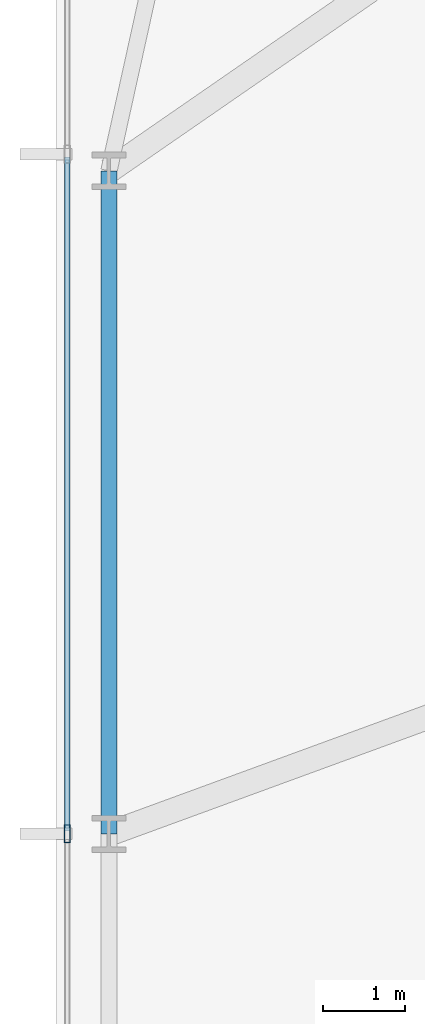
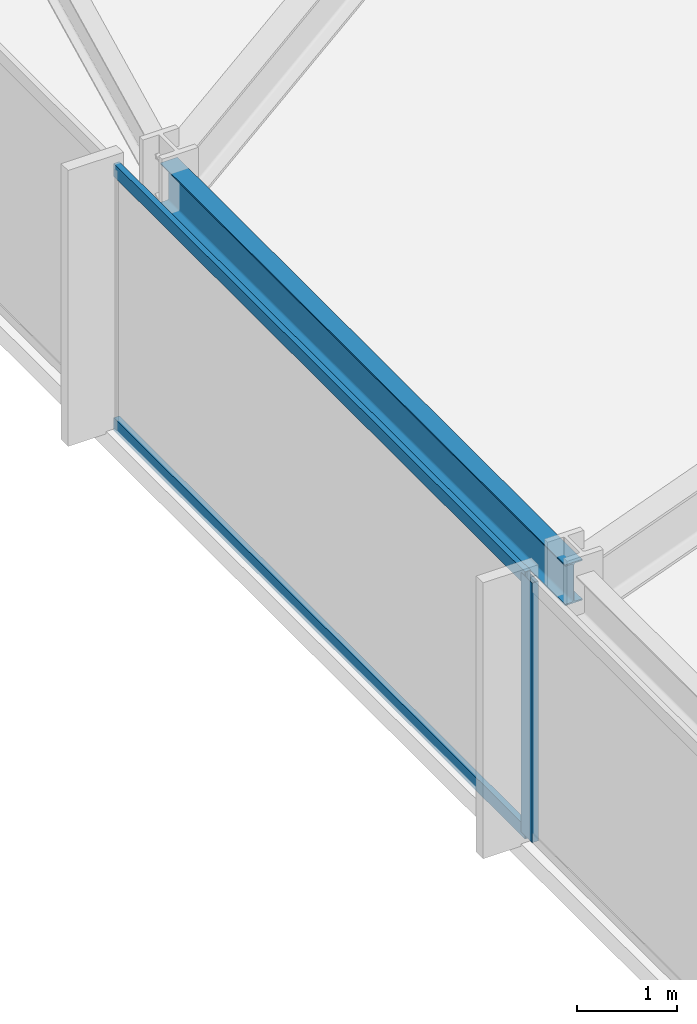
# One storey, part 7 of 33: 3 members, 1 beam, 1 element without a shape of its own.
"""IFC4 building model written with IfcOpenShell, lengths in metres."""

from ifc_helpers import new_model, si_unit, direction, frame, origin, origin_2d, place, context, subcontext, project, spatial, hollow_rectangle, i_section, extrude, material, material_profile, profile_set, type_object, element, aggregate, save


model = new_model("IFC4")

# Units and contexts
model_context = context("Model", 3, precision=1e-05, world=origin(), true_north=direction((0.0, 1.0)))
body_context = subcontext(model_context, "Body", "Model", "MODEL_VIEW")
ifc_project = project(units=[si_unit("LENGTHUNIT", "METRE"), si_unit("AREAUNIT", "SQUARE_METRE"), si_unit("VOLUMEUNIT", "CUBIC_METRE"), si_unit("PLANEANGLEUNIT", "RADIAN"), si_unit("MASSUNIT", "GRAM", prefix="KILO")], contexts=[model_context])

# Site, building, storey
site_placement = place(None, origin())
site = spatial("IfcSite", under=ifc_project, at=site_placement, CompositionType="ELEMENT")
building_placement = place(site_placement, origin())
building = spatial("IfcBuilding", under=site, at=building_placement, Name="Yelkora Congress Tower", CompositionType="ELEMENT")
storey_placement = place(building_placement, frame((0.0, 0.0, 37.199951171875)))
storey = spatial("IfcBuildingStorey", under=building, at=storey_placement, Name="L08", CompositionType="ELEMENT", Elevation=37.199951171875)

# Beam
ifc_material_1 = material(Name="Steel S355J2", Category="steel")
ifc_material_profile_1 = material_profile(ifc_material_1, i_section(OverallWidth=0.199951171875, OverallDepth=0.5, WebThickness=0.01025390625, FlangeThickness=0.01611328125, FilletRadius=0.02099609375, at=origin_2d()), Name="IPE 500")
ifc_profile_set_1 = profile_set([ifc_material_profile_1], Name="Steel S355J2")
beam_type = type_object("IfcBeamType", Name="BM-SPAN-IPE500", PredefinedType="SPANDREL", material=ifc_profile_set_1)
beam_placement = place(storey_placement, frame((6.64990234375, 37.52490234375, 2.929931640625), z_axis=(0.0, -1.0, 0.0), x_axis=(1.0, 0.0, 0.0)))
element("IfcBeam", 1, at=beam_placement, inside=storey, type_object=beam_type, Name="L08 Perimeter Beam 18", PredefinedType="SPANDREL", context=body_context, shape_type="SweptSolid", body=[
    extrude(i_section(OverallWidth=0.199951171875, OverallDepth=0.5, WebThickness=0.01025390625, FlangeThickness=0.01611328125, FilletRadius=0.02099609375, at=origin_2d()), origin(), (0.0, 0.0, 1.0), 8.125),
])

# Curtain wall, members
ifc_material_2 = material(Name="Anodised aluminium and insulated glass", Category="aluminium")
curtain_wall_type = type_object("IfcCurtainWallType", Name="CW-SYS-B1", PredefinedType="NOTDEFINED", material=ifc_material_2)
curtain_wall_placement = place(storey_placement, origin())
curtain_wall = element("IfcCurtainWall", 2, at=curtain_wall_placement, inside=storey, type_object=curtain_wall_type, Name="L08 Unitised Curtain Wall 5", PredefinedType="NOTDEFINED")
ifc_material_3 = material(Name="Anodised aluminium 6063-T6", Category="aluminium")
ifc_material_profile_2 = material_profile(ifc_material_3, hollow_rectangle(XDim=0.074951171875, YDim=0.219970703125, WallThickness=0.0048828125, at=origin_2d()), Name="ALU 75x220x5")
ifc_profile_set_2 = profile_set([ifc_material_profile_2], Name="Anodised aluminium 6063-T6")
member_type_1 = type_object("IfcMemberType", Name="MEM-ML-B1", PredefinedType="MULLION", material=ifc_profile_set_2)
member_1_placement = place(storey_placement, frame((6.139892578125, 29.39990234375, 0.0), z_axis=(0.0, 0.0, 1.0), x_axis=(-1.0, 0.0, 0.0)))
member_1 = element("IfcMember", 3, at=member_1_placement, type_object=member_type_1, Name="CW-B1 mullion 3", PredefinedType="MULLION", context=body_context, shape_type="SweptSolid", body=[
    extrude(hollow_rectangle(XDim=0.074951171875, YDim=0.219970703125, WallThickness=0.0048828125, at=origin_2d()), origin(), (0.0, 0.0, 1.0), 3.179931640625),
])
ifc_material_profile_3 = material_profile(ifc_material_3, hollow_rectangle(XDim=0.06494140625, YDim=0.159912109375, WallThickness=0.00390625, at=origin_2d()), Name="ALU 65x160x4")
ifc_profile_set_3 = profile_set([ifc_material_profile_3], Name="Anodised aluminium 6063-T6")
member_type_2 = type_object("IfcMemberType", Name="MEM-TR-B1", PredefinedType="USERDEFINED", material=ifc_profile_set_3)
member_2_placement = place(storey_placement, frame((6.139892578125, 29.4375, 0.032470703125), z_axis=(0.0, 1.0, 0.0), x_axis=(-1.0, 0.0, 0.0)))
member_2 = element("IfcMember", 4, at=member_2_placement, type_object=member_type_2, Name="CW-B1 transom 3.1", ObjectType="TRANSOM", PredefinedType="USERDEFINED", context=body_context, shape_type="SweptSolid", body=[
    extrude(hollow_rectangle(XDim=0.06494140625, YDim=0.159912109375, WallThickness=0.00390625, at=origin_2d()), origin(), (0.0, 0.0, 1.0), 8.2548828125),
])
member_3_placement = place(storey_placement, frame((6.139892578125, 29.4375, 3.1474609375), z_axis=(0.0, 1.0, 0.0), x_axis=(-1.0, 0.0, 0.0)))
member_3 = element("IfcMember", 5, at=member_3_placement, type_object=member_type_2, Name="CW-B1 transom 3.2", ObjectType="TRANSOM", PredefinedType="USERDEFINED", context=body_context, shape_type="SweptSolid", body=[
    extrude(hollow_rectangle(XDim=0.06494140625, YDim=0.159912109375, WallThickness=0.00390625, at=origin_2d()), origin(), (0.0, 0.0, 1.0), 8.2548828125),
])
aggregate(curtain_wall, [member_1, member_2, member_3])

save(model, "model.ifc")
